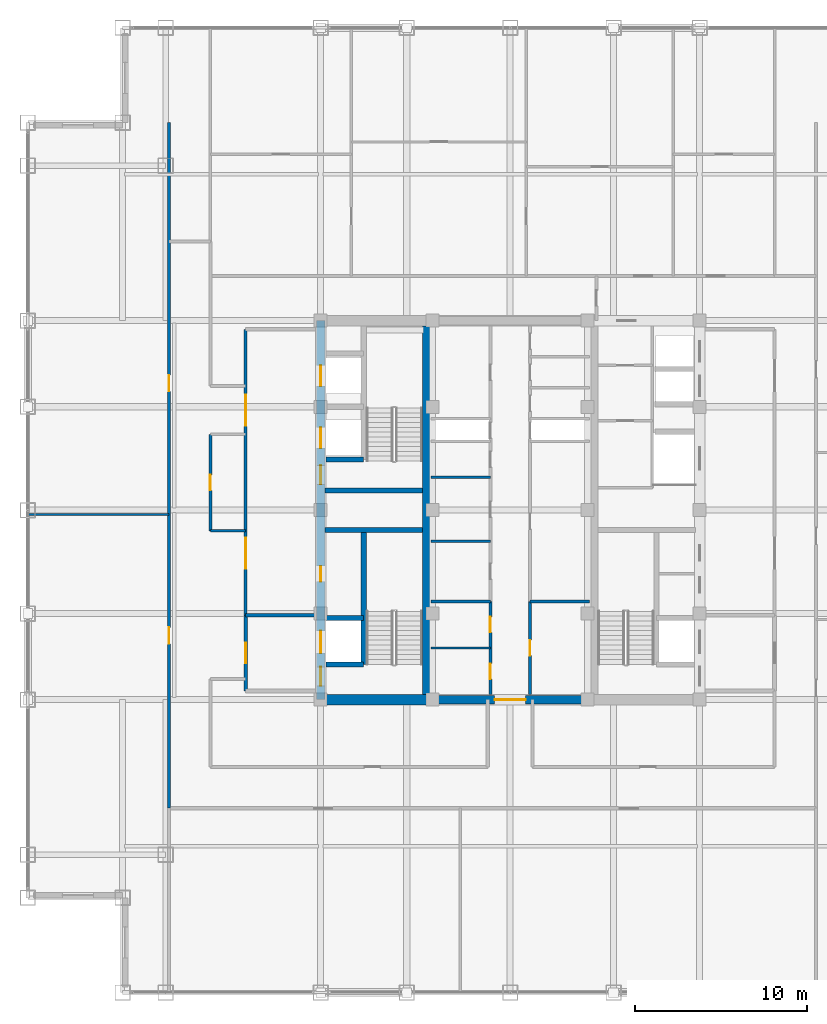
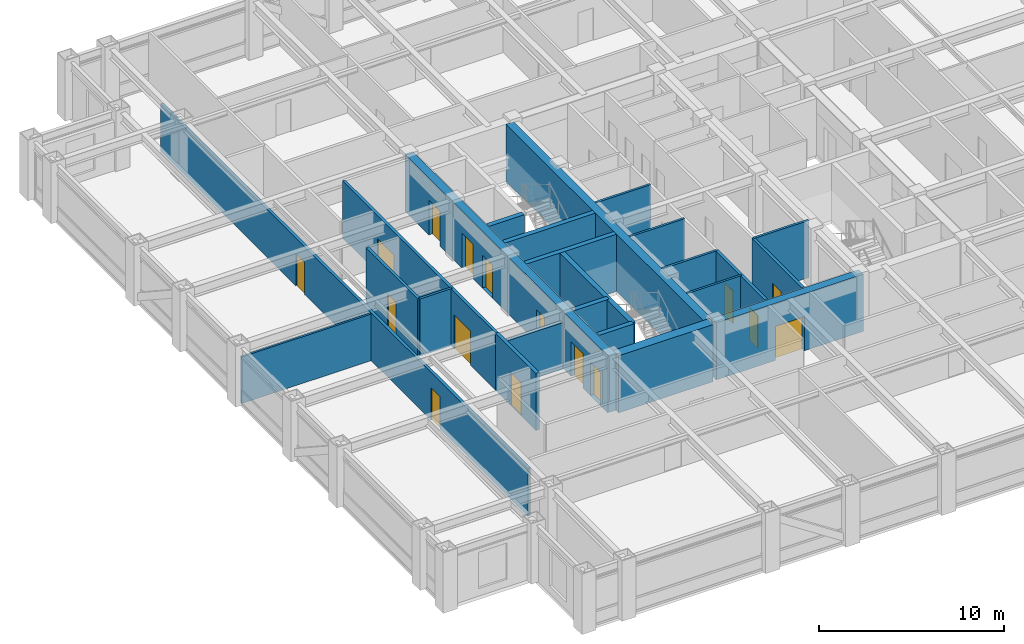
# One storey, part 18 of 22: 24 walls, 16 doors, 16 openings.
"""IFC4 building model written with IfcOpenShell, lengths in metres."""

import ifcopenshell
import ifcopenshell.guid

model = None  # the IFC model being written
_history = None  # IfcOwnerHistory: only IFC2X3 demands one
_inside = {}  # id of a spatial element -> (the spatial element, [elements in it])
_under = {}  # id of a project, library or spatial element -> (it, [spatial elements below it])
_declared = {}  # id of a project -> (the project, [libraries it declares])
_typed = {}  # id of a type object -> (the type object, [elements of that type])
_made_of = {}  # id of a material, layer set ... -> (it, [elements and type objects made of it])


def new_model(schema):
    """Start an empty IFC model of exactly this schema.

    Asked for "IFC4X3", IfcOpenShell would pick the latest addendum, in which some entities
    have other attributes; the version numbers below select the first issue.
    IFC2X3 requires an IfcOwnerHistory on every rooted entity: one is made here for all.
    """
    global model, _history
    if schema == "IFC4X3":
        model = ifcopenshell.file(schema_version=(4, 3, 0, 0))
    else:
        model = ifcopenshell.file(schema=schema)
    _inside.clear()
    _under.clear()
    _declared.clear()
    _typed.clear()
    _made_of.clear()
    _history = None
    if model.schema == "IFC2X3":
        org = make("IfcOrganization", Name="unknown")
        user = make(
            "IfcPersonAndOrganization",
            ThePerson=make("IfcPerson", FamilyName="unknown"),
            TheOrganization=org,
        )
        app = make(
            "IfcApplication",
            ApplicationDeveloper=org,
            Version="unknown",
            ApplicationFullName="unknown",
            ApplicationIdentifier="unknown",
        )
        _history = make(
            "IfcOwnerHistory",
            OwningUser=user,
            OwningApplication=app,
            ChangeAction="ADDED",
            CreationDate=0,
        )
    return model


def make(cls, **values):
    """One entity of the class cls with the attributes given. An attribute that is None is left unset."""
    return model.create_entity(
        cls, **{name: value for name, value in values.items() if value is not None}
    )


def rooted(cls, **values):
    """An entity with a GlobalId (a new one), such as an element, a storey or a relation."""
    return make(cls, GlobalId=ifcopenshell.guid.new(), OwnerHistory=_history, **values)


def si_unit(unit_type, name, prefix=None):
    """IfcSIUnit, for example si_unit("LENGTHUNIT", "METRE", prefix="MILLI")."""
    return make("IfcSIUnit", UnitType=unit_type, Prefix=prefix, Name=name)


def assignment(units):
    """IfcUnitAssignment: the units of a project."""
    return None if units is None else make("IfcUnitAssignment", Units=units)


def point(xyz):
    """IfcCartesianPoint."""
    return None if xyz is None else make("IfcCartesianPoint", Coordinates=xyz)


def direction(xyz):
    """IfcDirection."""
    return None if xyz is None else make("IfcDirection", DirectionRatios=xyz)


def frame(location, z_axis=None, x_axis=None):
    """IfcAxis2Placement3D, a coordinate frame: its origin and axes. An axis left out is left unset."""
    return make(
        "IfcAxis2Placement3D",
        Location=point(location),
        Axis=direction(z_axis),
        RefDirection=direction(x_axis),
    )


def frame_2d(location, x_axis=None):
    """IfcAxis2Placement2D, a coordinate frame in the plane: its origin and x axis."""
    return make(
        "IfcAxis2Placement2D", Location=point(location), RefDirection=direction(x_axis)
    )


def origin():
    """The frame at (0, 0, 0) with its axes left unset."""
    return frame((0.0, 0.0, 0.0))


def place(relative_to, where):
    """IfcLocalPlacement: puts the frame where relative to a parent placement (None: the world)."""
    return make(
        "IfcLocalPlacement", PlacementRelTo=relative_to, RelativePlacement=where
    )


def context(
    kind, dimensions, precision=None, world=None, true_north=None, identifier=None
):
    """IfcGeometricRepresentationContext, for example the 3D "Model" context."""
    return make(
        "IfcGeometricRepresentationContext",
        ContextIdentifier=identifier,
        ContextType=kind,
        CoordinateSpaceDimension=dimensions,
        Precision=precision,
        WorldCoordinateSystem=world,
        TrueNorth=true_north,
    )


def subcontext(parent, identifier, kind, view, scale=None):
    """IfcGeometricRepresentationSubContext, for example "Body" below "Model"."""
    return make(
        "IfcGeometricRepresentationSubContext",
        ContextIdentifier=identifier,
        ContextType=kind,
        ParentContext=parent,
        TargetScale=scale,
        TargetView=view,
    )


def project(units=None, contexts=None):
    """IfcProject with its units and contexts."""
    return rooted(
        "IfcProject",
        Name="project",
        RepresentationContexts=contexts,
        UnitsInContext=assignment(units),
    )


def spatial(cls, under=None, at=None, **own):
    """A site, building, storey or space (cls), placed at a placement, below another one or the project."""
    s = rooted(cls, ObjectPlacement=at, **own)
    if under is not None:
        _under.setdefault(under.id(), (under, []))[1].append(s)
    return s


def profile(cls, at=None, kind="AREA", **sizes):
    """A parametric profile (cls). Its sizes go by their IFC names, for example OverallWidth=200.0."""
    return make(cls, ProfileType=kind, Position=at, **sizes)


def rectangle(**sizes):
    """IfcRectangleProfileDef."""
    return profile("IfcRectangleProfileDef", **sizes)


def extrude(swept, where, along, depth):
    """IfcExtrudedAreaSolid: the profile swept, set in the frame where, extruded along a direction by depth."""
    return make(
        "IfcExtrudedAreaSolid",
        SweptArea=swept,
        Position=where,
        ExtrudedDirection=direction(along),
        Depth=depth,
    )


def shape(context_of_items, identifier, shape_type, items):
    """IfcShapeRepresentation: the items that make up one representation, for example the "Body"."""
    return make(
        "IfcShapeRepresentation",
        ContextOfItems=context_of_items,
        RepresentationIdentifier=identifier,
        RepresentationType=shape_type,
        Items=items,
    )


def source(mapping_origin, context_of_items, identifier, shape_type, items):
    """IfcRepresentationMap: a shape defined once, which mapped items show again and again."""
    return make(
        "IfcRepresentationMap",
        MappingOrigin=mapping_origin,
        MappedRepresentation=shape(context_of_items, identifier, shape_type, items),
    )


def transform(
    local_origin,
    x_axis=None,
    y_axis=None,
    z_axis=None,
    scale=None,
    scale2=None,
    scale3=None,
    uniform=True,
):
    """IfcCartesianTransformationOperator3D, or its non-uniform kind. x_axis, y_axis, z_axis: its Axis1, 2, 3."""
    if uniform:
        return make(
            "IfcCartesianTransformationOperator3D",
            Axis1=direction(x_axis),
            Axis2=direction(y_axis),
            LocalOrigin=point(local_origin),
            Scale=scale,
            Axis3=direction(z_axis),
        )
    return make(
        "IfcCartesianTransformationOperator3DnonUniform",
        Axis1=direction(x_axis),
        Axis2=direction(y_axis),
        LocalOrigin=point(local_origin),
        Scale=scale,
        Axis3=direction(z_axis),
        Scale2=scale2,
        Scale3=scale3,
    )


def mapped(mapping_source, mapping_target):
    """IfcMappedItem: shows the shape of a source again, moved by a transform."""
    return make(
        "IfcMappedItem", MappingSource=mapping_source, MappingTarget=mapping_target
    )


def material(Name=None, Category=None):
    """IfcMaterial."""
    return make("IfcMaterial", Name=Name, Category=Category)


def layer(
    of_material, thickness, ventilated=None, Name=None, Category=None, Priority=None
):
    """IfcMaterialLayer: one layer of a wall or slab, of a material (None: an air gap)."""
    return make(
        "IfcMaterialLayer",
        Material=of_material,
        LayerThickness=thickness,
        IsVentilated=ventilated,
        Name=Name,
        Category=Category,
        Priority=Priority,
    )


def layer_set(layers, Name=None):
    """IfcMaterialLayerSet."""
    return make("IfcMaterialLayerSet", MaterialLayers=layers, LayerSetName=Name)


def made_of(thing, what):
    """Note that an element or type object is made of a material, layer set ...; save() writes the relation."""
    if what is not None:
        _made_of.setdefault(what.id(), (what, []))[1].append(thing)
    return thing


def type_object(cls, material=None, **own):
    """A type object (cls), such as IfcWallType, which elements share."""
    return made_of(rooted(cls, **own), material)


def element(
    cls,
    number,
    at=None,
    inside=None,
    cuts=None,
    type_object=None,
    material=None,
    context=None,
    identifier="Body",
    shape_type=None,
    held_by="IfcProductDefinitionShape",
    body=None,
    shapes=None,
    **own,
):
    """One element of the class cls, such as IfcWall. Its Tag is "e" and its number.

    at: its placement. inside: the storey or other place that contains it. cuts: it is an
    opening in that element (IfcRelVoidsElement). A single representation is given by context,
    identifier, shape_type and body (its items); several are given by shapes. held_by: the class
    of the entity that holds the representations. save() writes the other relations.
    """
    e = rooted(cls, Tag="e%d" % number, ObjectPlacement=at, **own)
    if body is not None:
        shapes = [shape(context, identifier, shape_type, body)]
    if shapes is not None:
        e.Representation = make(held_by, Representations=shapes)
    if inside is not None:
        _inside.setdefault(inside.id(), (inside, []))[1].append(e)
    if cuts is not None:
        rooted(
            "IfcRelVoidsElement", RelatingBuildingElement=cuts, RelatedOpeningElement=e
        )
    if type_object is not None:
        _typed.setdefault(type_object.id(), (type_object, []))[1].append(e)
    return made_of(e, material)


def fill(opening, filler):
    """IfcRelFillsElement: the door or window that sits in an opening."""
    return rooted(
        "IfcRelFillsElement",
        RelatingOpeningElement=opening,
        RelatedBuildingElement=filler,
    )


def aggregate(whole, parts):
    """IfcRelAggregates: a whole, such as a stair, and the parts it consists of."""
    return rooted("IfcRelAggregates", RelatingObject=whole, RelatedObjects=parts)


def save(model, path):
    """Write the relations noted so far, then the file.

    IfcRelAggregates (storeys below a building ...), IfcRelContainedInSpatialStructure (elements
    in a storey), IfcRelDefinesByType, IfcRelAssociatesMaterial and IfcRelDeclares: one each for
    every whole, place, type object, material and project.
    """
    for whole, parts in _under.values():
        aggregate(whole, parts)
    for where, things in _inside.values():
        rooted(
            "IfcRelContainedInSpatialStructure",
            RelatedElements=things,
            RelatingStructure=where,
        )
    for kind, things in _typed.values():
        rooted("IfcRelDefinesByType", RelatedObjects=things, RelatingType=kind)
    for what, things in _made_of.values():
        rooted("IfcRelAssociatesMaterial", RelatedObjects=things, RelatingMaterial=what)
    for by, libraries in _declared.values():
        rooted("IfcRelDeclares", RelatingContext=by, RelatedDefinitions=libraries)
    model.write(path)


model = new_model("IFC4")

# Units and contexts
model_context = context("Model", 3, precision=1e-05, world=origin(), true_north=direction((0.0, 1.0)))
body_context = subcontext(model_context, "Body", "Model", "MODEL_VIEW")
ifc_project = project(units=[si_unit("LENGTHUNIT", "METRE"), si_unit("AREAUNIT", "SQUARE_METRE"), si_unit("VOLUMEUNIT", "CUBIC_METRE"), si_unit("PLANEANGLEUNIT", "RADIAN"), si_unit("MASSUNIT", "GRAM", prefix="KILO")], contexts=[model_context])

# Site, building, storey
site_placement = place(None, origin())
site = spatial("IfcSite", under=ifc_project, at=site_placement, CompositionType="ELEMENT")
building_placement = place(site_placement, origin())
building = spatial("IfcBuilding", under=site, at=building_placement, Name="Khorayat Bourse Tower", CompositionType="ELEMENT")
storey_placement = place(building_placement, frame((0.0, 0.0, 309.5)))
storey = spatial("IfcBuildingStorey", under=building, at=storey_placement, Name="L73", CompositionType="ELEMENT", Elevation=309.5)

# Wall, openings, doors
ifc_material_1 = material(Name="Concrete C52/65", Category="concrete")
ifc_layer_1 = layer(ifc_material_1, 0.5)
ifc_layer_set_1 = layer_set([ifc_layer_1], Name="Concrete C52/65")
wall_type_1 = type_object("IfcWallType", Name="WAL-CORE-500", PredefinedType="SHEAR", material=ifc_layer_set_1)
shared_shape_1 = source(origin(), body_context, "Body", "SweptSolid", [
    extrude(rectangle(XDim=22.0, YDim=0.5, at=frame_2d((11.0, 0.0))), origin(), (0.0, 0.0, 1.0), 3.780029296875),
])
wall_1_placement = place(storey_placement, frame((-11.0, -11.0, 0.0), z_axis=(0.0, 0.0, 1.0), x_axis=(0.0, 1.0, 0.0)))
wall_1 = element("IfcWall", 1, at=wall_1_placement, inside=storey, type_object=wall_type_1, Name="L73 Core Shear Wall CORE-W", PredefinedType="SHEAR", context=body_context, shape_type="MappedRepresentation", body=[
    mapped(shared_shape_1, transform((0.0, 0.0, 0.0), scale=1.0)),
])
shared_shape_2 = source(origin(), body_context, "Body", "SweptSolid", [
    extrude(rectangle(XDim=1.10009765625, YDim=2.199951171875, at=frame_2d((0.550048828125, 1.10009765625))), frame((0.0, 0.260009765625, 0.0), z_axis=(0.0, -1.0, 0.0), x_axis=(1.0, 0.0, 0.0)), (0.0, 0.0, 1.0), 0.52001953125),
])
opening_1_placement = place(wall_1_placement, frame((0.800048828125, 0.0, 0.0)))
opening_1 = element("IfcOpeningElement", 2, at=opening_1_placement, cuts=wall_1, Name="Opening DI-01", PredefinedType="OPENING", context=body_context, shape_type="MappedRepresentation", body=[
    mapped(shared_shape_2, transform((0.0, 0.0, 0.0), scale=1.0)),
])
opening_2_placement = place(wall_1_placement, frame((12.5, 0.0, 0.0)))
opening_2 = element("IfcOpeningElement", 3, at=opening_2_placement, cuts=wall_1, Name="Opening DI-01", PredefinedType="OPENING", context=body_context, shape_type="MappedRepresentation", body=[
    mapped(shared_shape_2, transform((0.0, 0.0, 0.0), scale=1.0)),
])
shared_shape_3 = source(origin(), body_context, "Body", "SweptSolid", [
    extrude(rectangle(XDim=0.89990234375, YDim=2.14990234375, at=frame_2d((0.449951171875, 1.074951171875))), frame((0.0, 0.260009765625, 0.0), z_axis=(0.0, -1.0, 0.0), x_axis=(1.0, 0.0, 0.0)), (0.0, 0.0, 1.0), 0.52001953125),
])
opening_3_placement = place(wall_1_placement, frame((6.85009765625, 0.0, 0.0)))
opening_3 = element("IfcOpeningElement", 4, at=opening_3_placement, cuts=wall_1, Name="Opening DI-06", PredefinedType="OPENING", context=body_context, shape_type="MappedRepresentation", body=[
    mapped(shared_shape_3, transform((0.0, 0.0, 0.0), scale=1.0)),
])
shared_shape_4 = source(origin(), body_context, "Body", "SweptSolid", [
    extrude(rectangle(XDim=1.199951171875, YDim=2.300048828125, at=frame_2d((0.60009765625, 1.14990234375))), frame((0.0, 0.260009765625, 0.0), z_axis=(0.0, -1.0, 0.0), x_axis=(1.0, 0.0, 0.0)), (0.0, 0.0, 1.0), 0.52001953125),
])
opening_4_placement = place(wall_1_placement, frame((14.60009765625, 0.0, 0.0)))
opening_4 = element("IfcOpeningElement", 5, at=opening_4_placement, cuts=wall_1, Name="Opening LD-01", PredefinedType="OPENING", context=body_context, shape_type="MappedRepresentation", body=[
    mapped(shared_shape_4, transform((0.0, 0.0, 0.0), scale=1.0)),
])
opening_5_placement = place(wall_1_placement, frame((18.199951171875, 0.0, 0.0)))
opening_5 = element("IfcOpeningElement", 6, at=opening_5_placement, cuts=wall_1, Name="Opening LD-01", PredefinedType="OPENING", context=body_context, shape_type="MappedRepresentation", body=[
    mapped(shared_shape_4, transform((0.0, 0.0, 0.0), scale=1.0)),
])
shared_shape_5 = source(origin(), body_context, "Body", "SweptSolid", [
    extrude(rectangle(XDim=1.300048828125, YDim=2.300048828125, at=frame_2d((0.64990234375, 1.14990234375))), frame((0.0, 0.260009765625, 0.0), z_axis=(0.0, -1.0, 0.0), x_axis=(1.0, 0.0, 0.0)), (0.0, 0.0, 1.0), 0.52001953125),
])
opening_6_placement = place(wall_1_placement, frame((2.699951171875, 0.0, 0.0)))
opening_6 = element("IfcOpeningElement", 7, at=opening_6_placement, cuts=wall_1, Name="Opening LD-02", PredefinedType="OPENING", context=body_context, shape_type="MappedRepresentation", body=[
    mapped(shared_shape_5, transform((0.0, 0.0, 0.0), scale=1.0)),
])
ifc_material_2 = material(Name="Fire-rated steel acoustic leaf", Category="steel")
door_type_1 = type_object("IfcDoorType", Name="DR-INT-STAIR-1100", OperationType="NOTDEFINED", PredefinedType="DOOR", material=ifc_material_2)
shared_shape_6 = source(origin(), body_context, "Body", "SweptSolid", [
    extrude(rectangle(XDim=1.10009765625, YDim=2.199951171875, at=frame_2d((0.550048828125, 1.10009765625))), frame((0.0, 0.02490234375, 0.0), z_axis=(0.0, -1.0, 0.0), x_axis=(1.0, 0.0, 0.0)), (0.0, 0.0, 1.0), 0.050048828125),
])
door_1_placement = place(opening_1_placement, origin())
door_1 = element("IfcDoor", 8, at=door_1_placement, inside=storey, type_object=door_type_1, Name="L73 Exit Stair 1 Door", OperationType="SINGLE_SWING_RIGHT", OverallHeight=2.199951171875, OverallWidth=1.10009765625, PredefinedType="DOOR", context=body_context, shape_type="MappedRepresentation", body=[
    mapped(shared_shape_6, transform((0.0, 0.0, 0.0), scale=1.0)),
])
fill(opening_1, door_1)
door_2_placement = place(opening_2_placement, origin())
door_2 = element("IfcDoor", 9, at=door_2_placement, inside=storey, type_object=door_type_1, Name="L73 Exit Stair 2 Door", OperationType="SINGLE_SWING_RIGHT", OverallHeight=2.199951171875, OverallWidth=1.10009765625, PredefinedType="DOOR", context=body_context, shape_type="MappedRepresentation", body=[
    mapped(shared_shape_6, transform((0.0, 0.0, 0.0), scale=1.0)),
])
fill(opening_2, door_2)
ifc_material_3 = material(Name="Moisture-resistant laminate washroom door")
door_type_2 = type_object("IfcDoorType", Name="DR-INT-WC-900", OperationType="NOTDEFINED", PredefinedType="DOOR", material=ifc_material_3)
shared_shape_7 = source(origin(), body_context, "Body", "SweptSolid", [
    extrude(rectangle(XDim=0.89990234375, YDim=2.14990234375, at=frame_2d((0.449951171875, 1.074951171875))), frame((0.0, 0.02490234375, 0.0), z_axis=(0.0, -1.0, 0.0), x_axis=(1.0, 0.0, 0.0)), (0.0, 0.0, 1.0), 0.050048828125),
])
door_3_placement = place(opening_3_placement, origin())
door_3 = element("IfcDoor", 10, at=door_3_placement, inside=storey, type_object=door_type_2, Name="L73 Electrical Switch Plant Room Door", OperationType="SINGLE_SWING_RIGHT", OverallHeight=2.14990234375, OverallWidth=0.89990234375, PredefinedType="DOOR", context=body_context, shape_type="MappedRepresentation", body=[
    mapped(shared_shape_7, transform((0.0, 0.0, 0.0), scale=1.0)),
])
fill(opening_3, door_3)
ifc_material_4 = material(Name="Brushed bronze stainless-steel sliding door", Category="steel")
door_type_3 = type_object("IfcDoorType", Name="DR-LIFT-PASS-1200", OperationType="NOTDEFINED", PredefinedType="DOOR", material=ifc_material_4)
shared_shape_8 = source(origin(), body_context, "Body", "SweptSolid", [
    extrude(rectangle(XDim=1.199951171875, YDim=2.300048828125, at=frame_2d((0.60009765625, 1.14990234375))), frame((0.0, 0.02490234375, 0.0), z_axis=(0.0, -1.0, 0.0), x_axis=(1.0, 0.0, 0.0)), (0.0, 0.0, 1.0), 0.050048828125),
])
door_4_placement = place(opening_4_placement, origin())
door_4 = element("IfcDoor", 11, at=door_4_placement, inside=storey, type_object=door_type_3, Name="L73 Lift PL-H1 Sliding Landing Door", OperationType="SLIDING_TO_LEFT", OverallHeight=2.300048828125, OverallWidth=1.199951171875, PredefinedType="DOOR", context=body_context, shape_type="MappedRepresentation", body=[
    mapped(shared_shape_8, transform((0.0, 0.0, 0.0), scale=1.0)),
])
fill(opening_4, door_4)
door_5_placement = place(opening_5_placement, origin())
door_5 = element("IfcDoor", 12, at=door_5_placement, inside=storey, type_object=door_type_3, Name="L73 Lift PL-H2 Sliding Landing Door", OperationType="SLIDING_TO_LEFT", OverallHeight=2.300048828125, OverallWidth=1.199951171875, PredefinedType="DOOR", context=body_context, shape_type="MappedRepresentation", body=[
    mapped(shared_shape_8, transform((0.0, 0.0, 0.0), scale=1.0)),
])
fill(opening_5, door_5)
ifc_material_5 = material(Name="Fire-rated stainless-steel sliding landing door", Category="steel")
door_type_4 = type_object("IfcDoorType", Name="DR-LIFT-FF-1300", OperationType="NOTDEFINED", PredefinedType="DOOR", material=ifc_material_5)
shared_shape_9 = source(origin(), body_context, "Body", "SweptSolid", [
    extrude(rectangle(XDim=1.300048828125, YDim=2.300048828125, at=frame_2d((0.64990234375, 1.14990234375))), frame((0.0, 0.02490234375, 0.0), z_axis=(0.0, -1.0, 0.0), x_axis=(1.0, 0.0, 0.0)), (0.0, 0.0, 1.0), 0.050048828125),
])
door_6_placement = place(opening_6_placement, origin())
door_6 = element("IfcDoor", 13, at=door_6_placement, inside=storey, type_object=door_type_4, Name="L73 Lift FFL-01 Sliding Landing Door", OperationType="SLIDING_TO_LEFT", OverallHeight=2.300048828125, OverallWidth=1.300048828125, PredefinedType="DOOR", context=body_context, shape_type="MappedRepresentation", body=[
    mapped(shared_shape_9, transform((0.0, 0.0, 0.0), scale=1.0)),
])
fill(opening_6, door_6)

# Walls
shared_shape_10 = source(origin(), body_context, "Body", "SweptSolid", [
    extrude(rectangle(XDim=21.39990234375, YDim=0.5, at=frame_2d((10.699951171875, 0.0))), origin(), (0.0, 0.0, 1.0), 3.780029296875),
])
wall_2_placement = place(storey_placement, frame((-4.85009765625, -10.699951171875, 0.0), z_axis=(0.0, 0.0, 1.0), x_axis=(0.0, 1.0, 0.0)))
element("IfcWall", 14, at=wall_2_placement, inside=storey, type_object=wall_type_1, Name="L73 Core Shear Wall PIER-W", PredefinedType="SHEAR", context=body_context, shape_type="MappedRepresentation", body=[
    mapped(shared_shape_10, transform((0.0, 0.0, 0.0), scale=1.0)),
])
ifc_material_6 = material(Name="Concrete C60/75", Category="concrete")
ifc_layer_2 = layer(ifc_material_6, 0.60009765625)
ifc_layer_set_2 = layer_set([ifc_layer_2], Name="Concrete C60/75")
wall_type_2 = type_object("IfcWallType", Name="WAL-CORE-600", PredefinedType="SHEAR", material=ifc_layer_set_2)
shared_shape_11 = source(origin(), body_context, "Body", "SweptSolid", [
    extrude(rectangle(XDim=5.89990234375, YDim=0.60009765625, at=frame_2d((2.949951171875, 0.0))), origin(), (0.0, 0.0, 1.0), 3.780029296875),
])
wall_3_placement = place(storey_placement, frame((-10.75, -11.0, 0.0), z_axis=(0.0, 0.0, 1.0), x_axis=(1.0, 0.0, 0.0)))
element("IfcWall", 15, at=wall_3_placement, inside=storey, type_object=wall_type_2, Name="L73 Core Shear Wall PIER-WS", PredefinedType="SHEAR", context=body_context, shape_type="MappedRepresentation", body=[
    mapped(shared_shape_11, transform((0.0, 0.0, 0.0), scale=1.0)),
])
ifc_material_7 = material(Name="Concrete C50/60", Category="concrete")
ifc_layer_3 = layer(ifc_material_7, 0.300048828125)
ifc_layer_set_3 = layer_set([ifc_layer_3], Name="Concrete C50/60")
wall_type_3 = type_object("IfcWallType", Name="WAL-SHAFT-300", PredefinedType="SHEAR", material=ifc_layer_set_3)
shared_shape_12 = source(origin(), body_context, "Body", "SweptSolid", [
    extrude(rectangle(XDim=5.64990234375, YDim=0.300048828125, at=frame_2d((2.824951171875, 0.0))), origin(), (0.0, 0.0, 1.0), 3.780029296875),
])
for number, where, z_axis, x_axis, name in (
    (16, (-10.75, -1.14990234375, 0.0), (0.0, 0.0, 1.0), (1.0, 0.0, 0.0), "L73 Core Shear Wall ST1-DIV"),
    (17, (-10.75, 1.14990234375, 0.0), (0.0, 0.0, 1.0), (1.0, 0.0, 0.0), "L73 Core Shear Wall ST2-DIV"),
):
    element("IfcWall", number, at=place(storey_placement, frame(where, z_axis=z_axis, x_axis=x_axis)), inside=storey, type_object=wall_type_3, Name=name, PredefinedType="SHEAR", context=body_context, shape_type="MappedRepresentation", body=[
        mapped(shared_shape_12, transform((0.0, 0.0, 0.0), scale=1.0)),
    ])

# Wall, opening, door
shared_shape_13 = source(origin(), body_context, "Body", "SweptSolid", [
    extrude(rectangle(XDim=9.2001953125, YDim=0.5, at=frame_2d((4.60009765625, 0.0))), origin(), (0.0, 0.0, 1.0), 3.780029296875),
])
wall_4_placement = place(storey_placement, frame((-4.60009765625, -11.0, 0.0), z_axis=(0.0, 0.0, 1.0), x_axis=(1.0, 0.0, 0.0)))
wall_4 = element("IfcWall", 18, at=wall_4_placement, inside=storey, type_object=wall_type_1, Name="L73 Core Shear Wall CORE-S", PredefinedType="SHEAR", context=body_context, shape_type="MappedRepresentation", body=[
    mapped(shared_shape_13, transform((0.0, 0.0, 0.0), scale=1.0)),
])
shared_shape_14 = source(origin(), body_context, "Body", "SweptSolid", [
    extrude(rectangle(XDim=1.800048828125, YDim=2.25, at=frame_2d((0.89990234375, 1.125))), frame((0.0, 0.260009765625, 0.0), z_axis=(0.0, -1.0, 0.0), x_axis=(1.0, 0.0, 0.0)), (0.0, 0.0, 1.0), 0.52001953125),
])
opening_7_placement = place(wall_4_placement, frame((3.699951171875, 0.0, 0.0)))
opening_7 = element("IfcOpeningElement", 19, at=opening_7_placement, cuts=wall_4, Name="Opening DI-03", PredefinedType="OPENING", context=body_context, shape_type="MappedRepresentation", body=[
    mapped(shared_shape_14, transform((0.0, 0.0, 0.0), scale=1.0)),
])
ifc_material_8 = material(Name="Fire-rated hardwood vision-panel double leaf", Category="wood")
door_type_5 = type_object("IfcDoorType", Name="DR-INT-CORR-1800", OperationType="NOTDEFINED", PredefinedType="DOOR", material=ifc_material_8)
shared_shape_15 = source(origin(), body_context, "Body", "SweptSolid", [
    extrude(rectangle(XDim=1.800048828125, YDim=2.25, at=frame_2d((0.89990234375, 1.125))), frame((0.0, 0.02490234375, 0.0), z_axis=(0.0, -1.0, 0.0), x_axis=(1.0, 0.0, 0.0)), (0.0, 0.0, 1.0), 0.050048828125),
])
door_7_placement = place(opening_7_placement, origin())
door_7 = element("IfcDoor", 20, at=door_7_placement, inside=storey, type_object=door_type_5, Name="L73 Central Core South Passage Door", OperationType="SINGLE_SWING_LEFT", OverallHeight=2.25, OverallWidth=1.800048828125, PredefinedType="DOOR", context=body_context, shape_type="MappedRepresentation", body=[
    mapped(shared_shape_15, transform((0.0, 0.0, 0.0), scale=1.0)),
])
fill(opening_7, door_7)

# Walls
ifc_material_9 = material(Name="Aerated concrete blockwork", Category="masonry")
ifc_layer_4 = layer(ifc_material_9, 0.219970703125)
ifc_layer_set_4 = layer_set([ifc_layer_4], Name="Aerated concrete blockwork")
wall_type_4 = type_object("IfcWallType", Name="WAL-PART-FF-220", PredefinedType="PARTITIONING", material=ifc_layer_set_4)
shared_shape_16 = source(origin(), body_context, "Body", "SweptSolid", [
    extrude(rectangle(XDim=4.050048828125, YDim=0.219970703125, at=frame_2d((2.02490234375, 0.0))), origin(), (0.0, 0.0, 1.0), 3.0849609375),
])
wall_5_placement = place(storey_placement, frame((-15.35009765625, -6.10009765625, 0.0), z_axis=(0.0, 0.0, 1.0), x_axis=(1.0, 0.0, 0.0)))
element("IfcWall", 21, at=wall_5_placement, inside=storey, type_object=wall_type_4, Name="L73 Partition WAL-L73-FFLW-N", PredefinedType="PARTITIONING", context=body_context, shape_type="MappedRepresentation", body=[
    mapped(shared_shape_16, transform((0.0, 0.0, 0.0), scale=1.0)),
])
shared_shape_17 = source(origin(), body_context, "Body", "SweptSolid", [
    extrude(rectangle(XDim=7.800048828125, YDim=0.300048828125, at=frame_2d((3.89990234375, 0.0))), origin(), (0.0, 0.0, 1.0), 3.780029296875),
])
wall_6_placement = place(storey_placement, frame((-8.5, -8.949951171875, 0.0), z_axis=(0.0, 0.0, 1.0), x_axis=(0.0, 1.0, 0.0)))
element("IfcWall", 22, at=wall_6_placement, inside=storey, type_object=wall_type_3, Name="L73 Partition WAL-L73-WPIER-SP", PredefinedType="SHEAR", context=body_context, shape_type="MappedRepresentation", body=[
    mapped(shared_shape_17, transform((0.0, 0.0, 0.0), scale=1.0)),
])
shared_shape_18 = source(origin(), body_context, "Body", "SweptSolid", [
    extrude(rectangle(XDim=2.199951171875, YDim=0.300048828125, at=frame_2d((1.10009765625, 0.0))), origin(), (0.0, 0.0, 1.0), 3.780029296875),
])
for number, where, z_axis, x_axis, name in (
    (23, (-10.699951171875, -8.949951171875, 0.0), (0.0, 0.0, 1.0), (1.0, 0.0, 0.0), "L73 Partition WAL-L73-WPIER-FF1S"),
    (24, (-10.699951171875, -6.25, 0.0), (0.0, 0.0, 1.0), (1.0, 0.0, 0.0), "L73 Partition WAL-L73-WPIER-FF1N"),
    (25, (-10.699951171875, 2.949951171875, 0.0), (0.0, 0.0, 1.0), (1.0, 0.0, 0.0), "L73 Partition WAL-L73-WPIER-H1S"),
):
    element("IfcWall", number, at=place(storey_placement, frame(where, z_axis=z_axis, x_axis=x_axis)), inside=storey, type_object=wall_type_3, Name=name, PredefinedType="SHEAR", context=body_context, shape_type="MappedRepresentation", body=[
        mapped(shared_shape_18, transform((0.0, 0.0, 0.0), scale=1.0)),
    ])

# Wall, opening, door
shared_shape_19 = source(origin(), body_context, "Body", "SweptSolid", [
    extrude(rectangle(XDim=4.39990234375, YDim=0.219970703125, at=frame_2d((2.199951171875, 0.0))), origin(), (0.0, 0.0, 1.0), 3.780029296875),
])
wall_7_placement = place(storey_placement, frame((-15.35009765625, -10.5, 0.0), z_axis=(0.0, 0.0, 1.0), x_axis=(0.0, 1.0, 0.0)))
wall_7 = element("IfcWall", 26, at=wall_7_placement, inside=storey, type_object=wall_type_4, Name="L73 Partition WAL-L73-FFLW-W", PredefinedType="PARTITIONING", context=body_context, shape_type="MappedRepresentation", body=[
    mapped(shared_shape_19, transform((0.0, 0.0, 0.0), scale=1.0)),
])
shared_shape_20 = source(origin(), body_context, "Body", "SweptSolid", [
    extrude(rectangle(XDim=1.199951171875, YDim=2.199951171875, at=frame_2d((0.60009765625, 1.10009765625))), frame((0.0, 0.119873046875, 0.0), z_axis=(0.0, -1.0, 0.0), x_axis=(1.0, 0.0, 0.0)), (0.0, 0.0, 1.0), 0.239990234375),
])
opening_8_placement = place(wall_7_placement, frame((1.60009765625, 0.0, 0.0)))
opening_8 = element("IfcOpeningElement", 27, at=opening_8_placement, cuts=wall_7, Name="Opening DI-02", PredefinedType="OPENING", context=body_context, shape_type="MappedRepresentation", body=[
    mapped(shared_shape_20, transform((0.0, 0.0, 0.0), scale=1.0)),
])
ifc_material_10 = material(Name="Fire-rated steel double-seal leaf", Category="steel")
door_type_6 = type_object("IfcDoorType", Name="DR-INT-FFLOBBY-1200", OperationType="NOTDEFINED", PredefinedType="DOOR", material=ifc_material_10)
shared_shape_21 = source(origin(), body_context, "Body", "SweptSolid", [
    extrude(rectangle(XDim=1.199951171875, YDim=2.199951171875, at=frame_2d((0.60009765625, 1.10009765625))), frame((0.0, 0.02490234375, 0.0), z_axis=(0.0, -1.0, 0.0), x_axis=(1.0, 0.0, 0.0)), (0.0, 0.0, 1.0), 0.050048828125),
])
door_8_placement = place(opening_8_placement, origin())
door_8 = element("IfcDoor", 28, at=door_8_placement, inside=storey, type_object=door_type_6, Name="L73 West Firefighting Lobby Door", OperationType="SINGLE_SWING_LEFT", OverallHeight=2.199951171875, OverallWidth=1.199951171875, PredefinedType="DOOR", context=body_context, shape_type="MappedRepresentation", body=[
    mapped(shared_shape_21, transform((0.0, 0.0, 0.0), scale=1.0)),
])
fill(opening_8, door_8)

# Wall, openings, doors
ifc_material_11 = material(Name="Gypsum plasterboard acoustic stud wall")
ifc_layer_5 = layer(ifc_material_11, 0.179931640625)
ifc_layer_set_5 = layer_set([ifc_layer_5], Name="Gypsum plasterboard acoustic stud wall")
wall_type_5 = type_object("IfcWallType", Name="WAL-PART-CORR-180", PredefinedType="PARTITIONING", material=ifc_layer_set_5)
shared_shape_22 = source(origin(), body_context, "Body", "SweptSolid", [
    extrude(rectangle(XDim=16.60009765625, YDim=0.179931640625, at=frame_2d((8.300048828125, 0.0))), origin(), (0.0, 0.0, 1.0), 3.780029296875),
])
wall_8_placement = place(storey_placement, frame((-15.35009765625, -6.10009765625, 0.0), z_axis=(0.0, 0.0, 1.0), x_axis=(0.0, 1.0, 0.0)))
wall_8 = element("IfcWall", 29, at=wall_8_placement, inside=storey, type_object=wall_type_5, Name="L73 Partition WAL-L73-WLOB-W", PredefinedType="PARTITIONING", context=body_context, shape_type="MappedRepresentation", body=[
    mapped(shared_shape_22, transform((0.0, 0.0, 0.0), scale=1.0)),
])
shared_shape_23 = source(origin(), body_context, "Body", "SweptSolid", [
    extrude(rectangle(XDim=1.800048828125, YDim=2.25, at=frame_2d((0.89990234375, 1.125))), frame((0.0, 0.099853515625, 0.0), z_axis=(0.0, -1.0, 0.0), x_axis=(1.0, 0.0, 0.0)), (0.0, 0.0, 1.0), 0.199951171875),
])
opening_9_placement = place(wall_8_placement, frame((2.699951171875, 0.0, 0.0)))
opening_9 = element("IfcOpeningElement", 30, at=opening_9_placement, cuts=wall_8, Name="Opening DI-03", PredefinedType="OPENING", context=body_context, shape_type="MappedRepresentation", body=[
    mapped(shared_shape_23, transform((0.0, 0.0, 0.0), scale=1.0)),
])
opening_10_placement = place(wall_8_placement, frame((11.0, 0.0, 0.0)))
opening_10 = element("IfcOpeningElement", 31, at=opening_10_placement, cuts=wall_8, Name="Opening DI-03", PredefinedType="OPENING", context=body_context, shape_type="MappedRepresentation", body=[
    mapped(shared_shape_23, transform((0.0, 0.0, 0.0), scale=1.0)),
])
door_9_placement = place(opening_9_placement, origin())
door_9 = element("IfcDoor", 32, at=door_9_placement, inside=storey, type_object=door_type_5, Name="L73 West Core Lobby South Door", OperationType="SINGLE_SWING_LEFT", OverallHeight=2.25, OverallWidth=1.800048828125, PredefinedType="DOOR", context=body_context, shape_type="MappedRepresentation", body=[
    mapped(shared_shape_15, transform((0.0, 0.0, 0.0), scale=1.0)),
])
fill(opening_9, door_9)
door_10_placement = place(opening_10_placement, origin())
door_10 = element("IfcDoor", 33, at=door_10_placement, inside=storey, type_object=door_type_5, Name="L73 West Core Lobby North Door", OperationType="SINGLE_SWING_RIGHT", OverallHeight=2.25, OverallWidth=1.800048828125, PredefinedType="DOOR", context=body_context, shape_type="MappedRepresentation", body=[
    mapped(shared_shape_15, transform((0.0, 0.0, 0.0), scale=1.0)),
])
fill(opening_10, door_10)

# Walls
ifc_material_12 = material(Name="Gypsum plasterboard twin-frame partition")
ifc_layer_6 = layer(ifc_material_12, 0.14990234375)
ifc_layer_set_6 = layer_set([ifc_layer_6], Name="Gypsum plasterboard twin-frame partition")
wall_type_6 = type_object("IfcWallType", Name="WAL-PART-SUITE-150", PredefinedType="PARTITIONING", material=ifc_layer_set_6)
shared_shape_24 = source(origin(), body_context, "Body", "SweptSolid", [
    extrude(rectangle(XDim=3.4501953125, YDim=0.14990234375, at=frame_2d((1.72509765625, 0.0))), origin(), (0.0, 0.0, 1.0), 3.780029296875),
])
for number, where, z_axis, x_axis, name in (
    (34, (-4.60009765625, -5.300048828125, 0.0), (0.0, 0.0, 1.0), (1.0, 0.0, 0.0), "L73 Partition WAL-L73-FB1-NW"),
    (35, (1.14990234375, -5.300048828125, 0.0), (0.0, 0.0, 1.0), (1.0, 0.0, 0.0), "L73 Partition WAL-L73-FB1-NE"),
):
    element("IfcWall", number, at=place(storey_placement, frame(where, z_axis=z_axis, x_axis=x_axis)), inside=storey, type_object=wall_type_6, Name=name, PredefinedType="PARTITIONING", context=body_context, shape_type="MappedRepresentation", body=[
        mapped(shared_shape_24, transform((0.0, 0.0, 0.0), scale=1.0)),
    ])

# Wall, openings, doors
shared_shape_25 = source(origin(), body_context, "Body", "SweptSolid", [
    extrude(rectangle(XDim=5.39990234375, YDim=0.179931640625, at=frame_2d((2.699951171875, 0.0))), origin(), (0.0, 0.0, 1.0), 3.780029296875),
])
wall_9_placement = place(storey_placement, frame((-1.14990234375, -10.699951171875, 0.0), z_axis=(0.0, 0.0, 1.0), x_axis=(0.0, 1.0, 0.0)))
wall_9 = element("IfcWall", 36, at=wall_9_placement, inside=storey, type_object=wall_type_5, Name="L73 Partition WAL-L73-FB1W-L", PredefinedType="PARTITIONING", context=body_context, shape_type="MappedRepresentation", body=[
    mapped(shared_shape_25, transform((0.0, 0.0, 0.0), scale=1.0)),
])
shared_shape_26 = source(origin(), body_context, "Body", "SweptSolid", [
    extrude(rectangle(XDim=0.89990234375, YDim=2.14990234375, at=frame_2d((0.449951171875, 1.074951171875))), frame((0.0, 0.099853515625, 0.0), z_axis=(0.0, -1.0, 0.0), x_axis=(1.0, 0.0, 0.0)), (0.0, 0.0, 1.0), 0.199951171875),
])
opening_11_placement = place(wall_9_placement, frame((0.89990234375, 0.0, 0.0)))
opening_11 = element("IfcOpeningElement", 37, at=opening_11_placement, cuts=wall_9, Name="Opening DI-06", PredefinedType="OPENING", context=body_context, shape_type="MappedRepresentation", body=[
    mapped(shared_shape_26, transform((0.0, 0.0, 0.0), scale=1.0)),
])
opening_12_placement = place(wall_9_placement, frame((3.60009765625, 0.0, 0.0)))
opening_12 = element("IfcOpeningElement", 38, at=opening_12_placement, cuts=wall_9, Name="Opening DI-06", PredefinedType="OPENING", context=body_context, shape_type="MappedRepresentation", body=[
    mapped(shared_shape_26, transform((0.0, 0.0, 0.0), scale=1.0)),
])
door_11_placement = place(opening_11_placement, origin())
door_11 = element("IfcDoor", 39, at=door_11_placement, inside=storey, type_object=door_type_2, Name="L73 Clearing Vault Store Door", OperationType="SINGLE_SWING_RIGHT", OverallHeight=2.14990234375, OverallWidth=0.89990234375, PredefinedType="DOOR", context=body_context, shape_type="MappedRepresentation", body=[
    mapped(shared_shape_7, transform((0.0, 0.0, 0.0), scale=1.0)),
])
fill(opening_11, door_11)
door_12_placement = place(opening_12_placement, origin())
door_12 = element("IfcDoor", 40, at=door_12_placement, inside=storey, type_object=door_type_2, Name="L73 UPS Battery Plant Room Door", OperationType="SINGLE_SWING_LEFT", OverallHeight=2.14990234375, OverallWidth=0.89990234375, PredefinedType="DOOR", context=body_context, shape_type="MappedRepresentation", body=[
    mapped(shared_shape_7, transform((0.0, 0.0, 0.0), scale=1.0)),
])
fill(opening_12, door_12)

# Wall, opening, door
wall_10_placement = place(storey_placement, frame((1.14990234375, -10.699951171875, 0.0), z_axis=(0.0, 0.0, 1.0), x_axis=(0.0, 1.0, 0.0)))
wall_10 = element("IfcWall", 41, at=wall_10_placement, inside=storey, type_object=wall_type_5, Name="L73 Partition WAL-L73-FB1E-L", PredefinedType="PARTITIONING", context=body_context, shape_type="MappedRepresentation", body=[
    mapped(shared_shape_25, transform((0.0, 0.0, 0.0), scale=1.0)),
])
opening_13_placement = place(wall_10_placement, frame((2.25, 0.0, 0.0)))
opening_13 = element("IfcOpeningElement", 42, at=opening_13_placement, cuts=wall_10, Name="Opening DI-06", PredefinedType="OPENING", context=body_context, shape_type="MappedRepresentation", body=[
    mapped(shared_shape_26, transform((0.0, 0.0, 0.0), scale=1.0)),
])
door_13_placement = place(opening_13_placement, origin())
door_13 = element("IfcDoor", 43, at=door_13_placement, inside=storey, type_object=door_type_2, Name="L73 Core Archive Vault Door", OperationType="SINGLE_SWING_RIGHT", OverallHeight=2.14990234375, OverallWidth=0.89990234375, PredefinedType="DOOR", context=body_context, shape_type="MappedRepresentation", body=[
    mapped(shared_shape_7, transform((0.0, 0.0, 0.0), scale=1.0)),
])
fill(opening_13, door_13)

# Walls
ifc_material_13 = material(Name="Moisture-resistant masonry partition", Category="masonry")
ifc_layer_7 = layer(ifc_material_13, 0.139892578125)
ifc_layer_set_7 = layer_set([ifc_layer_7], Name="Moisture-resistant masonry partition")
wall_type_7 = type_object("IfcWallType", Name="WAL-PART-WET-140", PredefinedType="PARTITIONING", material=ifc_layer_set_7)
shared_shape_27 = source(origin(), body_context, "Body", "SweptSolid", [
    extrude(rectangle(XDim=3.4501953125, YDim=0.139892578125, at=frame_2d((1.72509765625, 0.0))), origin(), (0.0, 0.0, 1.0), 3.780029296875),
])
for number, where, z_axis, x_axis, name in (
    (44, (-4.60009765625, -8.0, 0.0), (0.0, 0.0, 1.0), (1.0, 0.0, 0.0), "L73 Partition WAL-L73-FB1W-D1"),
    (45, (-4.60009765625, -1.800048828125, 0.0), (0.0, 0.0, 1.0), (1.0, 0.0, 0.0), "L73 Partition WAL-L73-CMW-D1"),
    (46, (-4.60009765625, 1.89990234375, 0.0), (0.0, 0.0, 1.0), (1.0, 0.0, 0.0), "L73 Partition WAL-L73-CMW-D2"),
):
    element("IfcWall", number, at=place(storey_placement, frame(where, z_axis=z_axis, x_axis=x_axis)), inside=storey, type_object=wall_type_7, Name=name, PredefinedType="PARTITIONING", context=body_context, shape_type="MappedRepresentation", body=[
        mapped(shared_shape_27, transform((0.0, 0.0, 0.0), scale=1.0)),
    ])

# Wall, opening, door
shared_shape_28 = source(origin(), body_context, "Body", "SweptSolid", [
    extrude(rectangle(XDim=5.599853515625, YDim=0.179931640625, at=frame_2d((2.7998046875, 0.0))), origin(), (0.0, 0.0, 1.0), 3.780029296875),
])
wall_11_placement = place(storey_placement, frame((-17.39990234375, -1.199951171875, 0.0), z_axis=(0.0, 0.0, 1.0), x_axis=(0.0, 1.0, 0.0)))
wall_11 = element("IfcWall", 47, at=wall_11_placement, inside=storey, type_object=wall_type_5, Name="L73 Partition WAL-L73-PKWM-W", PredefinedType="PARTITIONING", context=body_context, shape_type="MappedRepresentation", body=[
    mapped(shared_shape_28, transform((0.0, 0.0, 0.0), scale=1.0)),
])
opening_14_placement = place(wall_11_placement, frame((2.35009765625, 0.0, 0.0)))
opening_14 = element("IfcOpeningElement", 48, at=opening_14_placement, cuts=wall_11, Name="Opening DI-06", PredefinedType="OPENING", context=body_context, shape_type="MappedRepresentation", body=[
    mapped(shared_shape_26, transform((0.0, 0.0, 0.0), scale=1.0)),
])
door_14_placement = place(opening_14_placement, origin())
door_14 = element("IfcDoor", 49, at=door_14_placement, inside=storey, type_object=door_type_2, Name="L73 West Inboard Focus Door", OperationType="SINGLE_SWING_LEFT", OverallHeight=2.14990234375, OverallWidth=0.89990234375, PredefinedType="DOOR", context=body_context, shape_type="MappedRepresentation", body=[
    mapped(shared_shape_7, transform((0.0, 0.0, 0.0), scale=1.0)),
])
fill(opening_14, door_14)

# Walls
shared_shape_29 = source(origin(), body_context, "Body", "SweptSolid", [
    extrude(rectangle(XDim=2.0498046875, YDim=0.14990234375, at=frame_2d((1.02490234375, 0.0))), origin(), (0.0, 0.0, 1.0), 3.780029296875),
])
wall_12_placement = place(storey_placement, frame((-17.39990234375, -1.199951171875, 0.0), z_axis=(0.0, 0.0, 1.0), x_axis=(1.0, 0.0, 0.0)))
element("IfcWall", 50, at=wall_12_placement, inside=storey, type_object=wall_type_6, Name="L73 Partition WAL-L73-PKWM-S", PredefinedType="PARTITIONING", context=body_context, shape_type="MappedRepresentation", body=[
    mapped(shared_shape_29, transform((0.0, 0.0, 0.0), scale=1.0)),
])
ifc_material_14 = material(Name="Gypsum plasterboard partition")
ifc_layer_8 = layer(ifc_material_14, 0.125)
ifc_layer_set_8 = layer_set([ifc_layer_8], Name="Gypsum plasterboard partition")
wall_type_8 = type_object("IfcWallType", Name="WAL-PART-ROOM-125", PredefinedType="PARTITIONING", material=ifc_layer_set_8)
shared_shape_30 = source(origin(), body_context, "Body", "SweptSolid", [
    extrude(rectangle(XDim=8.199951171875, YDim=0.125, at=frame_2d((4.10009765625, 0.0))), origin(), (0.0, 0.0, 1.0), 3.0849609375),
])
wall_13_placement = place(storey_placement, frame((-28.0, -0.260009765625, 0.0), z_axis=(0.0, 0.0, 1.0), x_axis=(1.0, 0.0, 0.0)))
element("IfcWall", 51, at=wall_13_placement, inside=storey, type_object=wall_type_8, Name="L73 Partition WAL-L73-WDV-1", PredefinedType="PARTITIONING", context=body_context, shape_type="MappedRepresentation", body=[
    mapped(shared_shape_30, transform((0.0, 0.0, 0.0), scale=1.0)),
])

# Wall, openings, doors
shared_shape_31 = source(origin(), body_context, "Body", "SweptSolid", [
    extrude(rectangle(XDim=39.800048828125, YDim=0.179931640625, at=frame_2d((19.89990234375, 0.0))), origin(), (0.0, 0.0, 1.0), 3.1640625),
])
wall_14_placement = place(storey_placement, frame((-19.800048828125, -17.300048828125, 0.0), z_axis=(0.0, 0.0, 1.0), x_axis=(0.0, 1.0, 0.0)))
wall_14 = element("IfcWall", 52, at=wall_14_placement, inside=storey, type_object=wall_type_5, Name="L73 Partition WAL-L73-WCORR", PredefinedType="PARTITIONING", context=body_context, shape_type="MappedRepresentation", body=[
    mapped(shared_shape_31, transform((0.0, 0.0, 0.0), scale=1.0)),
])
shared_shape_32 = source(origin(), body_context, "Body", "SweptSolid", [
    extrude(rectangle(XDim=0.949951171875, YDim=2.14990234375, at=frame_2d((0.47509765625, 1.074951171875))), frame((0.0, 0.099853515625, 0.0), z_axis=(0.0, -1.0, 0.0), x_axis=(1.0, 0.0, 0.0)), (0.0, 0.0, 1.0), 0.199951171875),
])
opening_15_placement = place(wall_14_placement, frame((9.544921875, 0.0, 0.0)))
opening_15 = element("IfcOpeningElement", 53, at=opening_15_placement, cuts=wall_14, Name="Opening DI-05", PredefinedType="OPENING", context=body_context, shape_type="MappedRepresentation", body=[
    mapped(shared_shape_32, transform((0.0, 0.0, 0.0), scale=1.0)),
])
opening_16_placement = place(wall_14_placement, frame((24.195068359375, 0.0, 0.0)))
opening_16 = element("IfcOpeningElement", 54, at=opening_16_placement, cuts=wall_14, Name="Opening DI-05", PredefinedType="OPENING", context=body_context, shape_type="MappedRepresentation", body=[
    mapped(shared_shape_32, transform((0.0, 0.0, 0.0), scale=1.0)),
])
ifc_material_15 = material(Name="Acoustic oak veneer office door")
door_type_7 = type_object("IfcDoorType", Name="DR-INT-OFFICE-950", OperationType="NOTDEFINED", PredefinedType="DOOR", material=ifc_material_15)
shared_shape_33 = source(origin(), body_context, "Body", "SweptSolid", [
    extrude(rectangle(XDim=0.949951171875, YDim=2.14990234375, at=frame_2d((0.47509765625, 1.074951171875))), frame((0.0, 0.02490234375, 0.0), z_axis=(0.0, -1.0, 0.0), x_axis=(1.0, 0.0, 0.0)), (0.0, 0.0, 1.0), 0.050048828125),
])
door_15_placement = place(opening_15_placement, origin())
door_15 = element("IfcDoor", 55, at=door_15_placement, inside=storey, type_object=door_type_7, Name="L73 Clearing Records Archive Store W1 Door", OperationType="SINGLE_SWING_RIGHT", OverallHeight=2.14990234375, OverallWidth=0.949951171875, PredefinedType="DOOR", context=body_context, shape_type="MappedRepresentation", body=[
    mapped(shared_shape_33, transform((0.0, 0.0, 0.0), scale=1.0)),
])
fill(opening_15, door_15)
door_16_placement = place(opening_16_placement, origin())
door_16 = element("IfcDoor", 56, at=door_16_placement, inside=storey, type_object=door_type_7, Name="L73 Issuer Listing Showroom W2 Door", OperationType="SINGLE_SWING_LEFT", OverallHeight=2.14990234375, OverallWidth=0.949951171875, PredefinedType="DOOR", context=body_context, shape_type="MappedRepresentation", body=[
    mapped(shared_shape_33, transform((0.0, 0.0, 0.0), scale=1.0)),
])
fill(opening_16, door_16)

save(model, "model.ifc")
